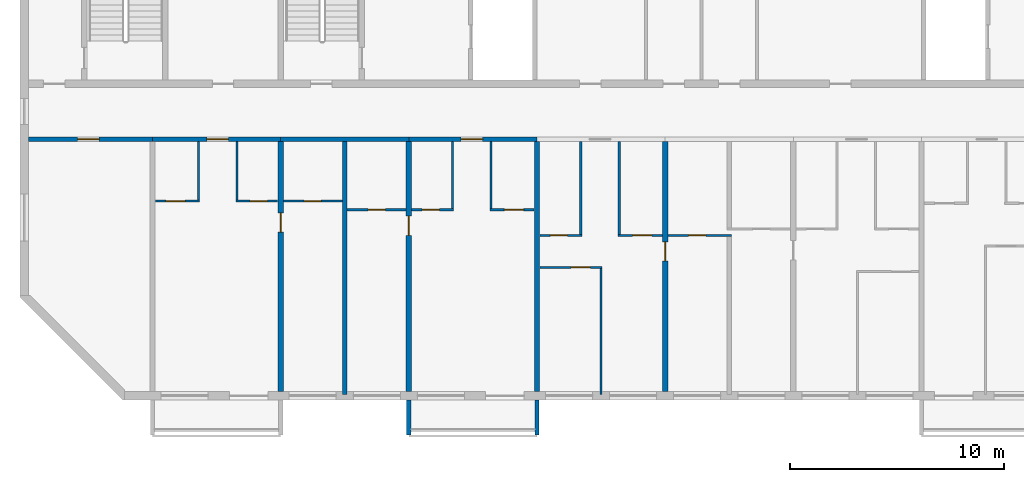
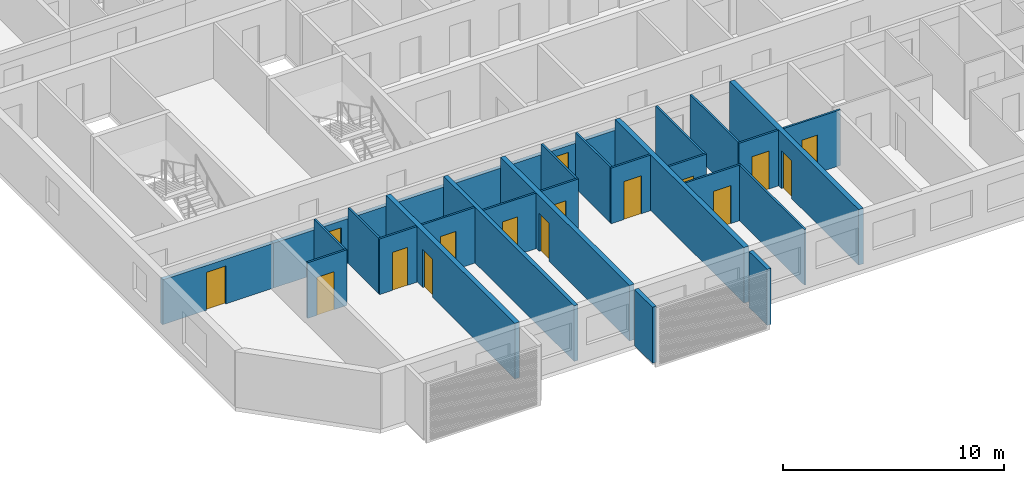
# One storey, part 2 of 26: 28 walls, 16 doors, 16 openings.
"""IFC4 building model written with IfcOpenShell, lengths in metres."""

from ifc_helpers import new_model, si_unit, direction, frame, frame_2d, origin, place, context, subcontext, project, spatial, polyline, rectangle, outline, extrude, source, transform, mapped, material, layer, layer_set, type_object, element, fill, save


model = new_model("IFC4")

# Units and contexts
model_context = context("Model", 3, precision=1e-05, world=origin(), true_north=direction((0.0, 1.0)))
body_context = subcontext(model_context, "Body", "Model", "MODEL_VIEW")
ifc_project = project(units=[si_unit("LENGTHUNIT", "METRE"), si_unit("AREAUNIT", "SQUARE_METRE"), si_unit("VOLUMEUNIT", "CUBIC_METRE"), si_unit("PLANEANGLEUNIT", "RADIAN"), si_unit("MASSUNIT", "GRAM", prefix="KILO")], contexts=[model_context])

# Site, building, storey
site_placement = place(None, origin())
site = spatial("IfcSite", under=ifc_project, at=site_placement, CompositionType="ELEMENT")
building_placement = place(site_placement, origin())
building = spatial("IfcBuilding", under=site, at=building_placement, Name="Poui Terraces", CompositionType="ELEMENT")
storey_placement = place(building_placement, frame((0.0, 0.0, 244.5)))
storey = spatial("IfcBuildingStorey", under=building, at=storey_placement, Name="L68", CompositionType="ELEMENT", Elevation=244.5)

# Wall, opening, door
ifc_material_1 = material(Name="Concrete 50 MPa", Category="concrete")
ifc_layer_1 = layer(ifc_material_1, 0.199951171875)
ifc_layer_set_1 = layer_set([ifc_layer_1], Name="Concrete 50 MPa")
wall_type_1 = type_object("IfcWallType", Name="CORRIDOR WALL 200 50MPa", PredefinedType="SHEAR", material=ifc_layer_set_1)
wall_1_placement = place(storey_placement, frame((18.199951171875, 12.0, 0.0), z_axis=(0.0, 0.0, 1.0), x_axis=(1.0, 0.0, 0.0)))
wall_1 = element("IfcWall", 1, at=wall_1_placement, inside=storey, type_object=wall_type_1, Name="CORRIDOR WALL LINE B BAY 1", PredefinedType="SHEAR", context=body_context, shape_type="SweptSolid", body=[
    extrude(rectangle(XDim=5.800048828125, YDim=0.199951171875, at=frame_2d((2.89990234375, 0.0))), origin(), (0.0, 0.0, 1.0), 2.47998046875),
])
opening_1_placement = place(wall_1_placement, frame((2.300048828125, 0.0, 0.0)))
opening_1 = element("IfcOpeningElement", 2, at=opening_1_placement, cuts=wall_1, Name="Opening D100", PredefinedType="OPENING", context=body_context, shape_type="SweptSolid", body=[
    extrude(rectangle(XDim=1.0, YDim=2.10009765625, at=frame_2d((0.5, 1.050048828125))), frame((0.0, 0.10986328125, 0.0), z_axis=(0.0, -1.0, 0.0), x_axis=(1.0, 0.0, 0.0)), (0.0, 0.0, 1.0), 0.219970703125),
])
ifc_material_2 = material(Name="Solid core timber door", Category="wood")
door_type_1 = type_object("IfcDoorType", Name="ACCESSIBLE INTERNAL DOOR 1000 X 2100", OperationType="NOTDEFINED", PredefinedType="DOOR", material=ifc_material_2)
door_1_placement = place(opening_1_placement, frame((1.0, 0.0, 0.0), z_axis=(0.0, 0.0, 1.0), x_axis=(-1.0, 0.0, 0.0)))
door_1 = element("IfcDoor", 3, at=door_1_placement, inside=storey, type_object=door_type_1, Name="ACCESSIBLE INTERNAL DOOR 061", OperationType="SINGLE_SWING_RIGHT", OverallHeight=2.10009765625, OverallWidth=1.0, PredefinedType="DOOR", context=body_context, shape_type="SweptSolid", body=[
    extrude(rectangle(XDim=1.0, YDim=2.10009765625, at=frame_2d((0.5, 1.050048828125))), frame((0.0, 0.02490234375, 0.0), z_axis=(0.0, -1.0, 0.0), x_axis=(1.0, 0.0, 0.0)), (0.0, 0.0, 1.0), 0.050048828125),
])
fill(opening_1, door_1)

wall_2_placement = place(storey_placement, frame((24.0, 12.0, 0.0), z_axis=(0.0, 0.0, 1.0), x_axis=(1.0, 0.0, 0.0)))
wall_2 = element("IfcWall", 4, at=wall_2_placement, inside=storey, type_object=wall_type_1, Name="CORRIDOR WALL LINE B BAY 2", PredefinedType="SHEAR", context=body_context, shape_type="SweptSolid", body=[
    extrude(rectangle(XDim=6.0, YDim=0.199951171875, at=frame_2d((3.0, 0.0))), origin(), (0.0, 0.0, 1.0), 2.47998046875),
])
opening_2_placement = place(wall_2_placement, frame((2.550048828125, 0.0, 0.0)))
opening_2 = element("IfcOpeningElement", 5, at=opening_2_placement, cuts=wall_2, Name="Opening FD30S", PredefinedType="OPENING", context=body_context, shape_type="SweptSolid", body=[
    extrude(rectangle(XDim=1.0, YDim=2.10009765625, at=frame_2d((0.5, 1.050048828125))), frame((0.0, 0.10986328125, 0.0), z_axis=(0.0, -1.0, 0.0), x_axis=(1.0, 0.0, 0.0)), (0.0, 0.0, 1.0), 0.219970703125),
])
ifc_material_3 = material(Name="Steel fire door", Category="steel")
door_type_2 = type_object("IfcDoorType", Name="FLAT ENTRANCE DOOR 1000 X 2100", OperationType="NOTDEFINED", PredefinedType="DOOR", material=ifc_material_3)
door_2_placement = place(opening_2_placement, frame((1.0, 0.0, 0.0), z_axis=(0.0, 0.0, 1.0), x_axis=(-1.0, 0.0, 0.0)))
door_2 = element("IfcDoor", 6, at=door_2_placement, inside=storey, type_object=door_type_2, Name="FLAT ENTRANCE DOOR 064", OperationType="SINGLE_SWING_LEFT", OverallHeight=2.10009765625, OverallWidth=1.0, PredefinedType="DOOR", context=body_context, shape_type="SweptSolid", body=[
    extrude(rectangle(XDim=1.0, YDim=2.10009765625, at=frame_2d((0.5, 1.050048828125))), frame((0.0, 0.02490234375, 0.0), z_axis=(0.0, -1.0, 0.0), x_axis=(1.0, 0.0, 0.0)), (0.0, 0.0, 1.0), 0.050048828125),
])
fill(opening_2, door_2)

# Wall
wall_3_placement = place(storey_placement, frame((30.0, 12.0, 0.0), z_axis=(0.0, 0.0, 1.0), x_axis=(1.0, 0.0, 0.0)))
element("IfcWall", 7, at=wall_3_placement, inside=storey, type_object=wall_type_1, Name="CORRIDOR WALL LINE B BAY 3", PredefinedType="SHEAR", context=body_context, shape_type="SweptSolid", body=[
    extrude(rectangle(XDim=6.0, YDim=0.199951171875, at=frame_2d((3.0, 0.0))), origin(), (0.0, 0.0, 1.0), 2.47998046875),
])

# Wall, opening, door
wall_4_placement = place(storey_placement, frame((36.0, 12.0, 0.0), z_axis=(0.0, 0.0, 1.0), x_axis=(1.0, 0.0, 0.0)))
wall_4 = element("IfcWall", 8, at=wall_4_placement, inside=storey, type_object=wall_type_1, Name="CORRIDOR WALL LINE B BAY 4", PredefinedType="SHEAR", context=body_context, shape_type="SweptSolid", body=[
    extrude(rectangle(XDim=6.0, YDim=0.199951171875, at=frame_2d((3.0, 0.0))), origin(), (0.0, 0.0, 1.0), 2.47998046875),
])
opening_3_placement = place(wall_4_placement, frame((2.449951171875, 0.0, 0.0)))
opening_3 = element("IfcOpeningElement", 9, at=opening_3_placement, cuts=wall_4, Name="Opening FD30S", PredefinedType="OPENING", context=body_context, shape_type="SweptSolid", body=[
    extrude(rectangle(XDim=1.0, YDim=2.10009765625, at=frame_2d((0.5, 1.050048828125))), frame((0.0, 0.10986328125, 0.0), z_axis=(0.0, -1.0, 0.0), x_axis=(1.0, 0.0, 0.0)), (0.0, 0.0, 1.0), 0.219970703125),
])
door_3_placement = place(opening_3_placement, frame((1.0, 0.0, 0.0), z_axis=(0.0, 0.0, 1.0), x_axis=(-1.0, 0.0, 0.0)))
door_3 = element("IfcDoor", 10, at=door_3_placement, inside=storey, type_object=door_type_2, Name="FLAT ENTRANCE DOOR 070", OperationType="SINGLE_SWING_RIGHT", OverallHeight=2.10009765625, OverallWidth=1.0, PredefinedType="DOOR", context=body_context, shape_type="SweptSolid", body=[
    extrude(rectangle(XDim=1.0, YDim=2.10009765625, at=frame_2d((0.5, 1.050048828125))), frame((0.0, 0.02490234375, 0.0), z_axis=(0.0, -1.0, 0.0), x_axis=(1.0, 0.0, 0.0)), (0.0, 0.0, 1.0), 0.050048828125),
])
fill(opening_3, door_3)

ifc_layer_2 = layer(ifc_material_1, 0.25)
ifc_layer_set_2 = layer_set([ifc_layer_2], Name="Concrete 50 MPa")
wall_type_2 = type_object("IfcWallType", Name="CROSS WALL 250 50MPa", PredefinedType="SHEAR", material=ifc_layer_set_2)
wall_5_placement = place(storey_placement, frame((30.0, 0.199951171875, 0.0), z_axis=(0.0, 0.0, 1.0), x_axis=(0.0, 1.0, 0.0)))
wall_5 = element("IfcWall", 11, at=wall_5_placement, inside=storey, type_object=wall_type_2, Name="CROSS WALL LINE 6 SOUTH", PredefinedType="SHEAR", context=body_context, shape_type="SweptSolid", body=[
    extrude(rectangle(XDim=11.699951171875, YDim=0.25, at=frame_2d((5.85009765625, 0.0))), origin(), (0.0, 0.0, 1.0), 3.080078125),
])
opening_4_placement = place(wall_5_placement, frame((7.449951171875, 0.0, 0.0)))
opening_4 = element("IfcOpeningElement", 12, at=opening_4_placement, cuts=wall_5, Name="Opening D90", PredefinedType="OPENING", context=body_context, shape_type="SweptSolid", body=[
    extrude(rectangle(XDim=0.89990234375, YDim=2.10009765625, at=frame_2d((0.449951171875, 1.050048828125))), frame((0.0, 0.135009765625, 0.0), z_axis=(0.0, -1.0, 0.0), x_axis=(1.0, 0.0, 0.0)), (0.0, 0.0, 1.0), 0.27001953125),
])
door_type_3 = type_object("IfcDoorType", Name="INTERNAL DOOR 900 X 2100", OperationType="NOTDEFINED", PredefinedType="DOOR", material=ifc_material_2)
door_4_placement = place(opening_4_placement, frame((0.89990234375, 0.0, 0.0), z_axis=(0.0, 0.0, 1.0), x_axis=(-1.0, 0.0, 0.0)))
door_4 = element("IfcDoor", 13, at=door_4_placement, inside=storey, type_object=door_type_3, Name="INTERNAL DOOR 066", OperationType="SINGLE_SWING_LEFT", OverallHeight=2.10009765625, OverallWidth=0.89990234375, PredefinedType="DOOR", context=body_context, shape_type="SweptSolid", body=[
    extrude(rectangle(XDim=0.89990234375, YDim=2.10009765625, at=frame_2d((0.449951171875, 1.050048828125))), frame((0.0, 0.02490234375, 0.0), z_axis=(0.0, -1.0, 0.0), x_axis=(1.0, 0.0, 0.0)), (0.0, 0.0, 1.0), 0.050048828125),
])
fill(opening_4, door_4)

wall_6_placement = place(storey_placement, frame((36.0, 0.199951171875, 0.0), z_axis=(0.0, 0.0, 1.0), x_axis=(0.0, 1.0, 0.0)))
wall_6 = element("IfcWall", 14, at=wall_6_placement, inside=storey, type_object=wall_type_2, Name="CROSS WALL LINE 7 SOUTH", PredefinedType="SHEAR", context=body_context, shape_type="SweptSolid", body=[
    extrude(rectangle(XDim=11.699951171875, YDim=0.25, at=frame_2d((5.85009765625, 0.0))), origin(), (0.0, 0.0, 1.0), 3.080078125),
])
opening_5_placement = place(wall_6_placement, frame((7.300048828125, 0.0, 0.0)))
opening_5 = element("IfcOpeningElement", 15, at=opening_5_placement, cuts=wall_6, Name="Opening D90", PredefinedType="OPENING", context=body_context, shape_type="SweptSolid", body=[
    extrude(rectangle(XDim=0.89990234375, YDim=2.10009765625, at=frame_2d((0.449951171875, 1.050048828125))), frame((0.0, 0.135009765625, 0.0), z_axis=(0.0, -1.0, 0.0), x_axis=(1.0, 0.0, 0.0)), (0.0, 0.0, 1.0), 0.27001953125),
])
door_5_placement = place(opening_5_placement, origin())
door_5 = element("IfcDoor", 16, at=door_5_placement, inside=storey, type_object=door_type_3, Name="INTERNAL DOOR 068", OperationType="SINGLE_SWING_RIGHT", OverallHeight=2.10009765625, OverallWidth=0.89990234375, PredefinedType="DOOR", context=body_context, shape_type="SweptSolid", body=[
    extrude(rectangle(XDim=0.89990234375, YDim=2.10009765625, at=frame_2d((0.449951171875, 1.050048828125))), frame((0.0, 0.02490234375, 0.0), z_axis=(0.0, -1.0, 0.0), x_axis=(1.0, 0.0, 0.0)), (0.0, 0.0, 1.0), 0.050048828125),
])
fill(opening_5, door_5)

# Wall
wall_7_placement = place(storey_placement, frame((42.0, 0.199951171875, 0.0), z_axis=(0.0, 0.0, 1.0), x_axis=(0.0, 1.0, 0.0)))
element("IfcWall", 17, at=wall_7_placement, inside=storey, type_object=wall_type_2, Name="CROSS WALL LINE 8 SOUTH", PredefinedType="SHEAR", context=body_context, shape_type="SweptSolid", body=[
    extrude(rectangle(XDim=11.699951171875, YDim=0.25, at=frame_2d((5.85009765625, 0.0))), origin(), (0.0, 0.0, 1.0), 3.080078125),
])

# Wall, opening, door
wall_8_placement = place(storey_placement, frame((48.0, 0.199951171875, 0.0), z_axis=(0.0, 0.0, 1.0), x_axis=(0.0, 1.0, 0.0)))
wall_8 = element("IfcWall", 18, at=wall_8_placement, inside=storey, type_object=wall_type_2, Name="CROSS WALL LINE 9 SOUTH", PredefinedType="SHEAR", context=body_context, shape_type="SweptSolid", body=[
    extrude(rectangle(XDim=11.699951171875, YDim=0.25, at=frame_2d((5.85009765625, 0.0))), origin(), (0.0, 0.0, 1.0), 3.080078125),
])
opening_6_placement = place(wall_8_placement, frame((6.10009765625, 0.0, 0.0)))
opening_6 = element("IfcOpeningElement", 19, at=opening_6_placement, cuts=wall_8, Name="Opening D90", PredefinedType="OPENING", context=body_context, shape_type="SweptSolid", body=[
    extrude(rectangle(XDim=0.89990234375, YDim=2.10009765625, at=frame_2d((0.449951171875, 1.050048828125))), frame((0.0, 0.135009765625, 0.0), z_axis=(0.0, -1.0, 0.0), x_axis=(1.0, 0.0, 0.0)), (0.0, 0.0, 1.0), 0.27001953125),
])
door_6_placement = place(opening_6_placement, frame((0.89990234375, 0.0, 0.0), z_axis=(0.0, 0.0, 1.0), x_axis=(-1.0, 0.0, 0.0)))
door_6 = element("IfcDoor", 20, at=door_6_placement, inside=storey, type_object=door_type_3, Name="INTERNAL DOOR 077", OperationType="SINGLE_SWING_LEFT", OverallHeight=2.10009765625, OverallWidth=0.89990234375, PredefinedType="DOOR", context=body_context, shape_type="SweptSolid", body=[
    extrude(rectangle(XDim=0.89990234375, YDim=2.10009765625, at=frame_2d((0.449951171875, 1.050048828125))), frame((0.0, 0.02490234375, 0.0), z_axis=(0.0, -1.0, 0.0), x_axis=(1.0, 0.0, 0.0)), (0.0, 0.0, 1.0), 0.050048828125),
])
fill(opening_6, door_6)

ifc_material_4 = material(Name="Plasterboard partition")
ifc_layer_3 = layer(ifc_material_4, 0.10009765625)
ifc_layer_set_3 = layer_set([ifc_layer_3], Name="Plasterboard partition")
wall_type_3 = type_object("IfcWallType", Name="FLAT PARTITION 100", PredefinedType="PARTITIONING", material=ifc_layer_set_3)
wall_9_placement = place(storey_placement, frame((42.135009765625, 6.0, 0.0), z_axis=(0.0, 0.0, 1.0), x_axis=(1.0, 0.0, 0.0)))
wall_9 = element("IfcWall", 21, at=wall_9_placement, inside=storey, type_object=wall_type_3, Name="FLAT PARTITION 100", PredefinedType="PARTITIONING", context=body_context, shape_type="SweptSolid", body=[
    extrude(rectangle(XDim=2.9150390625, YDim=0.10009765625, at=frame_2d((1.45751953125, 0.0))), origin(), (0.0, 0.0, 1.0), 3.080078125),
])
opening_7_placement = place(wall_9_placement, frame((1.465087890625, 0.0, 0.0)))
opening_7 = element("IfcOpeningElement", 22, at=opening_7_placement, cuts=wall_9, Name="Opening D90", PredefinedType="OPENING", context=body_context, shape_type="SweptSolid", body=[
    extrude(rectangle(XDim=0.89990234375, YDim=2.10009765625, at=frame_2d((0.449951171875, 1.050048828125))), frame((0.0, 0.06005859375, 0.0), z_axis=(0.0, -1.0, 0.0), x_axis=(1.0, 0.0, 0.0)), (0.0, 0.0, 1.0), 0.1201171875),
])
door_7_placement = place(opening_7_placement, origin())
door_7 = element("IfcDoor", 23, at=door_7_placement, inside=storey, type_object=door_type_3, Name="INTERNAL DOOR 074", OperationType="SINGLE_SWING_LEFT", OverallHeight=2.10009765625, OverallWidth=0.89990234375, PredefinedType="DOOR", context=body_context, shape_type="SweptSolid", body=[
    extrude(rectangle(XDim=0.89990234375, YDim=2.10009765625, at=frame_2d((0.449951171875, 1.050048828125))), frame((0.0, 0.02490234375, 0.0), z_axis=(0.0, -1.0, 0.0), x_axis=(1.0, 0.0, 0.0)), (0.0, 0.0, 1.0), 0.050048828125),
])
fill(opening_7, door_7)

wall_10_placement = place(storey_placement, frame((42.135009765625, 7.5, 0.0), z_axis=(0.0, 0.0, 1.0), x_axis=(1.0, 0.0, 0.0)))
wall_10 = element("IfcWall", 24, at=wall_10_placement, inside=storey, type_object=wall_type_3, Name="FLAT PARTITION 100", PredefinedType="PARTITIONING", context=body_context, shape_type="SweptSolid", body=[
    extrude(rectangle(XDim=1.965087890625, YDim=0.10009765625, at=frame_2d((0.982421875, 0.0))), origin(), (0.0, 0.0, 1.0), 3.080078125),
])
opening_8_placement = place(wall_10_placement, frame((0.489990234375, 0.0, 0.0)))
opening_8 = element("IfcOpeningElement", 25, at=opening_8_placement, cuts=wall_10, Name="Opening D80", PredefinedType="OPENING", context=body_context, shape_type="SweptSolid", body=[
    extrude(rectangle(XDim=0.800048828125, YDim=2.10009765625, at=frame_2d((0.39990234375, 1.050048828125))), frame((0.0, 0.06005859375, 0.0), z_axis=(0.0, -1.0, 0.0), x_axis=(1.0, 0.0, 0.0)), (0.0, 0.0, 1.0), 0.1201171875),
])
door_type_4 = type_object("IfcDoorType", Name="BATHROOM, LAUNDRY AND STORE DOOR 800 X 2100", OperationType="NOTDEFINED", PredefinedType="DOOR", material=ifc_material_2)
door_8_placement = place(opening_8_placement, origin())
door_8 = element("IfcDoor", 26, at=door_8_placement, inside=storey, type_object=door_type_4, Name="BATHROOM, LAUNDRY AND STORE DOOR 073", OperationType="SINGLE_SWING_RIGHT", OverallHeight=2.10009765625, OverallWidth=0.800048828125, PredefinedType="DOOR", context=body_context, shape_type="SweptSolid", body=[
    extrude(rectangle(XDim=0.800048828125, YDim=2.10009765625, at=frame_2d((0.39990234375, 1.050048828125))), frame((0.0, 0.02490234375, 0.0), z_axis=(0.0, -1.0, 0.0), x_axis=(1.0, 0.0, 0.0)), (0.0, 0.0, 1.0), 0.050048828125),
])
fill(opening_8, door_8)

wall_11_placement = place(storey_placement, frame((45.800048828125, 7.5, 0.0), z_axis=(0.0, 0.0, 1.0), x_axis=(1.0, 0.0, 0.0)))
wall_11 = element("IfcWall", 27, at=wall_11_placement, inside=storey, type_object=wall_type_3, Name="FLAT PARTITION 100", PredefinedType="PARTITIONING", context=body_context, shape_type="SweptSolid", body=[
    extrude(rectangle(XDim=2.06494140625, YDim=0.10009765625, at=frame_2d((1.032470703125, 0.0))), origin(), (0.0, 0.0, 1.0), 3.080078125),
])
opening_9_placement = place(wall_11_placement, frame((0.675048828125, 0.0, 0.0)))
opening_9 = element("IfcOpeningElement", 28, at=opening_9_placement, cuts=wall_11, Name="Opening D90", PredefinedType="OPENING", context=body_context, shape_type="SweptSolid", body=[
    extrude(rectangle(XDim=0.89990234375, YDim=2.10009765625, at=frame_2d((0.449951171875, 1.050048828125))), frame((0.0, 0.06005859375, 0.0), z_axis=(0.0, -1.0, 0.0), x_axis=(1.0, 0.0, 0.0)), (0.0, 0.0, 1.0), 0.1201171875),
])
door_9_placement = place(opening_9_placement, origin())
door_9 = element("IfcDoor", 29, at=door_9_placement, inside=storey, type_object=door_type_3, Name="INTERNAL DOOR 076", OperationType="SINGLE_SWING_LEFT", OverallHeight=2.10009765625, OverallWidth=0.89990234375, PredefinedType="DOOR", context=body_context, shape_type="SweptSolid", body=[
    extrude(rectangle(XDim=0.89990234375, YDim=2.10009765625, at=frame_2d((0.449951171875, 1.050048828125))), frame((0.0, 0.02490234375, 0.0), z_axis=(0.0, -1.0, 0.0), x_axis=(1.0, 0.0, 0.0)), (0.0, 0.0, 1.0), 0.050048828125),
])
fill(opening_9, door_9)

wall_12_placement = place(storey_placement, frame((48.135009765625, 7.5, 0.0), z_axis=(0.0, 0.0, 1.0), x_axis=(1.0, 0.0, 0.0)))
wall_12 = element("IfcWall", 30, at=wall_12_placement, inside=storey, type_object=wall_type_3, Name="FLAT PARTITION 100", PredefinedType="PARTITIONING", context=body_context, shape_type="SweptSolid", body=[
    extrude(rectangle(XDim=2.965087890625, YDim=0.10009765625, at=frame_2d((1.482421875, 0.0))), origin(), (0.0, 0.0, 1.0), 3.080078125),
])
opening_10_placement = place(wall_12_placement, frame((0.965087890625, 0.0, 0.0)))
opening_10 = element("IfcOpeningElement", 31, at=opening_10_placement, cuts=wall_12, Name="Opening D80", PredefinedType="OPENING", context=body_context, shape_type="SweptSolid", body=[
    extrude(rectangle(XDim=0.800048828125, YDim=2.10009765625, at=frame_2d((0.39990234375, 1.050048828125))), frame((0.0, 0.06005859375, 0.0), z_axis=(0.0, -1.0, 0.0), x_axis=(1.0, 0.0, 0.0)), (0.0, 0.0, 1.0), 0.1201171875),
])
door_10_placement = place(opening_10_placement, origin())
door_10 = element("IfcDoor", 32, at=door_10_placement, inside=storey, type_object=door_type_4, Name="BATHROOM, LAUNDRY AND STORE DOOR 072", OperationType="SINGLE_SWING_RIGHT", OverallHeight=2.10009765625, OverallWidth=0.800048828125, PredefinedType="DOOR", context=body_context, shape_type="SweptSolid", body=[
    extrude(rectangle(XDim=0.800048828125, YDim=2.10009765625, at=frame_2d((0.39990234375, 1.050048828125))), frame((0.0, 0.02490234375, 0.0), z_axis=(0.0, -1.0, 0.0), x_axis=(1.0, 0.0, 0.0)), (0.0, 0.0, 1.0), 0.050048828125),
])
fill(opening_10, door_10)

wall_13_placement = place(storey_placement, frame((33.10009765625, 8.699951171875, 0.0), z_axis=(0.0, 0.0, 1.0), x_axis=(1.0, 0.0, 0.0)))
wall_13 = element("IfcWall", 33, at=wall_13_placement, inside=storey, type_object=wall_type_3, Name="FLAT PARTITION 100", PredefinedType="PARTITIONING", context=body_context, shape_type="SweptSolid", body=[
    extrude(rectangle(XDim=2.764892578125, YDim=0.10009765625, at=frame_2d((1.38232421875, 0.0))), origin(), (0.0, 0.0, 1.0), 3.080078125),
])
opening_11_placement = place(wall_13_placement, frame((1.0, 0.0, 0.0)))
opening_11 = element("IfcOpeningElement", 34, at=opening_11_placement, cuts=wall_13, Name="Opening D80", PredefinedType="OPENING", context=body_context, shape_type="SweptSolid", body=[
    extrude(rectangle(XDim=0.800048828125, YDim=2.10009765625, at=frame_2d((0.39990234375, 1.050048828125))), frame((0.0, 0.06005859375, 0.0), z_axis=(0.0, -1.0, 0.0), x_axis=(1.0, 0.0, 0.0)), (0.0, 0.0, 1.0), 0.1201171875),
])
door_11_placement = place(opening_11_placement, origin())
door_11 = element("IfcDoor", 35, at=door_11_placement, inside=storey, type_object=door_type_4, Name="BATHROOM, LAUNDRY AND STORE DOOR 067", OperationType="SINGLE_SWING_LEFT", OverallHeight=2.10009765625, OverallWidth=0.800048828125, PredefinedType="DOOR", context=body_context, shape_type="SweptSolid", body=[
    extrude(rectangle(XDim=0.800048828125, YDim=2.10009765625, at=frame_2d((0.39990234375, 1.050048828125))), frame((0.0, 0.02490234375, 0.0), z_axis=(0.0, -1.0, 0.0), x_axis=(1.0, 0.0, 0.0)), (0.0, 0.0, 1.0), 0.050048828125),
])
fill(opening_11, door_11)

wall_14_placement = place(storey_placement, frame((36.135009765625, 8.699951171875, 0.0), z_axis=(0.0, 0.0, 1.0), x_axis=(1.0, 0.0, 0.0)))
wall_14 = element("IfcWall", 36, at=wall_14_placement, inside=storey, type_object=wall_type_3, Name="FLAT PARTITION 100", PredefinedType="PARTITIONING", context=body_context, shape_type="SweptSolid", body=[
    extrude(rectangle(XDim=1.965087890625, YDim=0.10009765625, at=frame_2d((0.982421875, 0.0))), origin(), (0.0, 0.0, 1.0), 3.080078125),
])
opening_12_placement = place(wall_14_placement, frame((0.489990234375, 0.0, 0.0)))
opening_12 = element("IfcOpeningElement", 37, at=opening_12_placement, cuts=wall_14, Name="Opening D80", PredefinedType="OPENING", context=body_context, shape_type="SweptSolid", body=[
    extrude(rectangle(XDim=0.800048828125, YDim=2.10009765625, at=frame_2d((0.39990234375, 1.050048828125))), frame((0.0, 0.06005859375, 0.0), z_axis=(0.0, -1.0, 0.0), x_axis=(1.0, 0.0, 0.0)), (0.0, 0.0, 1.0), 0.1201171875),
])
door_12_placement = place(opening_12_placement, origin())
door_12 = element("IfcDoor", 38, at=door_12_placement, inside=storey, type_object=door_type_4, Name="BATHROOM, LAUNDRY AND STORE DOOR 069", OperationType="SINGLE_SWING_RIGHT", OverallHeight=2.10009765625, OverallWidth=0.800048828125, PredefinedType="DOOR", context=body_context, shape_type="SweptSolid", body=[
    extrude(rectangle(XDim=0.800048828125, YDim=2.10009765625, at=frame_2d((0.39990234375, 1.050048828125))), frame((0.0, 0.02490234375, 0.0), z_axis=(0.0, -1.0, 0.0), x_axis=(1.0, 0.0, 0.0)), (0.0, 0.0, 1.0), 0.050048828125),
])
fill(opening_12, door_12)

wall_15_placement = place(storey_placement, frame((39.800048828125, 8.699951171875, 0.0), z_axis=(0.0, 0.0, 1.0), x_axis=(1.0, 0.0, 0.0)))
wall_15 = element("IfcWall", 39, at=wall_15_placement, inside=storey, type_object=wall_type_3, Name="FLAT PARTITION 100", PredefinedType="PARTITIONING", context=body_context, shape_type="SweptSolid", body=[
    extrude(rectangle(XDim=2.06494140625, YDim=0.10009765625, at=frame_2d((1.032470703125, 0.0))), origin(), (0.0, 0.0, 1.0), 3.080078125),
])
opening_13_placement = place(wall_15_placement, frame((0.675048828125, 0.0, 0.0)))
opening_13 = element("IfcOpeningElement", 40, at=opening_13_placement, cuts=wall_15, Name="Opening D90", PredefinedType="OPENING", context=body_context, shape_type="SweptSolid", body=[
    extrude(rectangle(XDim=0.89990234375, YDim=2.10009765625, at=frame_2d((0.449951171875, 1.050048828125))), frame((0.0, 0.06005859375, 0.0), z_axis=(0.0, -1.0, 0.0), x_axis=(1.0, 0.0, 0.0)), (0.0, 0.0, 1.0), 0.1201171875),
])
door_13_placement = place(opening_13_placement, origin())
door_13 = element("IfcDoor", 41, at=door_13_placement, inside=storey, type_object=door_type_3, Name="INTERNAL DOOR 071", OperationType="SINGLE_SWING_LEFT", OverallHeight=2.10009765625, OverallWidth=0.89990234375, PredefinedType="DOOR", context=body_context, shape_type="SweptSolid", body=[
    extrude(rectangle(XDim=0.89990234375, YDim=2.10009765625, at=frame_2d((0.449951171875, 1.050048828125))), frame((0.0, 0.02490234375, 0.0), z_axis=(0.0, -1.0, 0.0), x_axis=(1.0, 0.0, 0.0)), (0.0, 0.0, 1.0), 0.050048828125),
])
fill(opening_13, door_13)

wall_16_placement = place(storey_placement, frame((24.135009765625, 9.10009765625, 0.0), z_axis=(0.0, 0.0, 1.0), x_axis=(1.0, 0.0, 0.0)))
wall_16 = element("IfcWall", 42, at=wall_16_placement, inside=storey, type_object=wall_type_3, Name="FLAT PARTITION 100", PredefinedType="PARTITIONING", context=body_context, shape_type="SweptSolid", body=[
    extrude(rectangle(XDim=2.06494140625, YDim=0.10009765625, at=frame_2d((1.032470703125, 0.0))), origin(), (0.0, 0.0, 1.0), 3.080078125),
])
opening_14_placement = place(wall_16_placement, frame((0.489990234375, 0.0, 0.0)))
opening_14 = element("IfcOpeningElement", 43, at=opening_14_placement, cuts=wall_16, Name="Opening D90", PredefinedType="OPENING", context=body_context, shape_type="SweptSolid", body=[
    extrude(rectangle(XDim=0.89990234375, YDim=2.10009765625, at=frame_2d((0.449951171875, 1.050048828125))), frame((0.0, 0.06005859375, 0.0), z_axis=(0.0, -1.0, 0.0), x_axis=(1.0, 0.0, 0.0)), (0.0, 0.0, 1.0), 0.1201171875),
])
door_14_placement = place(opening_14_placement, origin())
door_14 = element("IfcDoor", 44, at=door_14_placement, inside=storey, type_object=door_type_3, Name="INTERNAL DOOR 063", OperationType="SINGLE_SWING_LEFT", OverallHeight=2.10009765625, OverallWidth=0.89990234375, PredefinedType="DOOR", context=body_context, shape_type="SweptSolid", body=[
    extrude(rectangle(XDim=0.89990234375, YDim=2.10009765625, at=frame_2d((0.449951171875, 1.050048828125))), frame((0.0, 0.02490234375, 0.0), z_axis=(0.0, -1.0, 0.0), x_axis=(1.0, 0.0, 0.0)), (0.0, 0.0, 1.0), 0.050048828125),
])
fill(opening_14, door_14)

wall_17_placement = place(storey_placement, frame((27.89990234375, 9.10009765625, 0.0), z_axis=(0.0, 0.0, 1.0), x_axis=(1.0, 0.0, 0.0)))
wall_17 = element("IfcWall", 45, at=wall_17_placement, inside=storey, type_object=wall_type_3, Name="FLAT PARTITION 100", PredefinedType="PARTITIONING", context=body_context, shape_type="SweptSolid", body=[
    extrude(rectangle(XDim=1.965087890625, YDim=0.10009765625, at=frame_2d((0.982421875, 0.0))), origin(), (0.0, 0.0, 1.0), 3.080078125),
])
opening_15_placement = place(wall_17_placement, frame((0.675048828125, 0.0, 0.0)))
opening_15 = element("IfcOpeningElement", 46, at=opening_15_placement, cuts=wall_17, Name="Opening D80", PredefinedType="OPENING", context=body_context, shape_type="SweptSolid", body=[
    extrude(rectangle(XDim=0.800048828125, YDim=2.10009765625, at=frame_2d((0.39990234375, 1.050048828125))), frame((0.0, 0.06005859375, 0.0), z_axis=(0.0, -1.0, 0.0), x_axis=(1.0, 0.0, 0.0)), (0.0, 0.0, 1.0), 0.1201171875),
])
door_15_placement = place(opening_15_placement, origin())
door_15 = element("IfcDoor", 47, at=door_15_placement, inside=storey, type_object=door_type_4, Name="BATHROOM, LAUNDRY AND STORE DOOR 065", OperationType="SINGLE_SWING_RIGHT", OverallHeight=2.10009765625, OverallWidth=0.800048828125, PredefinedType="DOOR", context=body_context, shape_type="SweptSolid", body=[
    extrude(rectangle(XDim=0.800048828125, YDim=2.10009765625, at=frame_2d((0.39990234375, 1.050048828125))), frame((0.0, 0.02490234375, 0.0), z_axis=(0.0, -1.0, 0.0), x_axis=(1.0, 0.0, 0.0)), (0.0, 0.0, 1.0), 0.050048828125),
])
fill(opening_15, door_15)

wall_18_placement = place(storey_placement, frame((30.135009765625, 9.10009765625, 0.0), z_axis=(0.0, 0.0, 1.0), x_axis=(1.0, 0.0, 0.0)))
wall_18 = element("IfcWall", 48, at=wall_18_placement, inside=storey, type_object=wall_type_3, Name="FLAT PARTITION 100", PredefinedType="PARTITIONING", context=body_context, shape_type="SweptSolid", body=[
    extrude(rectangle(XDim=2.764892578125, YDim=0.10009765625, at=frame_2d((1.38232421875, 0.0))), origin(), (0.0, 0.0, 1.0), 3.080078125),
])
opening_16_placement = place(wall_18_placement, frame((0.965087890625, 0.0, 0.0)))
opening_16 = element("IfcOpeningElement", 49, at=opening_16_placement, cuts=wall_18, Name="Opening D80", PredefinedType="OPENING", context=body_context, shape_type="SweptSolid", body=[
    extrude(rectangle(XDim=0.800048828125, YDim=2.10009765625, at=frame_2d((0.39990234375, 1.050048828125))), frame((0.0, 0.06005859375, 0.0), z_axis=(0.0, -1.0, 0.0), x_axis=(1.0, 0.0, 0.0)), (0.0, 0.0, 1.0), 0.1201171875),
])
door_16_placement = place(opening_16_placement, origin())
door_16 = element("IfcDoor", 50, at=door_16_placement, inside=storey, type_object=door_type_4, Name="BATHROOM, LAUNDRY AND STORE DOOR 062", OperationType="SINGLE_SWING_RIGHT", OverallHeight=2.10009765625, OverallWidth=0.800048828125, PredefinedType="DOOR", context=body_context, shape_type="SweptSolid", body=[
    extrude(rectangle(XDim=0.800048828125, YDim=2.10009765625, at=frame_2d((0.39990234375, 1.050048828125))), frame((0.0, 0.02490234375, 0.0), z_axis=(0.0, -1.0, 0.0), x_axis=(1.0, 0.0, 0.0)), (0.0, 0.0, 1.0), 0.050048828125),
])
fill(opening_16, door_16)

# Walls
for number, where, z_axis, x_axis, name in (
    (51, (26.14990234375, 9.14990234375, 0.0), (0.0, 0.0, 1.0), (0.0, 1.0, 0.0), "FLAT PARTITION 100"),
    (52, (27.949951171875, 9.14990234375, 0.0), (0.0, 0.0, 1.0), (0.0, 1.0, 0.0), "FLAT PARTITION 100"),
):
    element("IfcWall", number, at=place(storey_placement, frame(where, z_axis=z_axis, x_axis=x_axis)), inside=storey, type_object=wall_type_3, Name=name, PredefinedType="PARTITIONING", context=body_context, shape_type="SweptSolid", body=[
        extrude(rectangle(XDim=2.739990234375, YDim=0.10009765625, at=frame_2d((1.3701171875, 0.0))), origin(), (0.0, 0.0, 1.0), 3.080078125),
    ])
for number, where, z_axis, x_axis, name in (
    (53, (38.050048828125, 8.75, 0.0), (0.0, 0.0, 1.0), (0.0, 1.0, 0.0), "FLAT PARTITION 100"),
    (54, (39.85009765625, 8.75, 0.0), (0.0, 0.0, 1.0), (0.0, 1.0, 0.0), "FLAT PARTITION 100"),
):
    element("IfcWall", number, at=place(storey_placement, frame(where, z_axis=z_axis, x_axis=x_axis)), inside=storey, type_object=wall_type_3, Name=name, PredefinedType="PARTITIONING", context=body_context, shape_type="SweptSolid", body=[
        extrude(rectangle(XDim=3.139892578125, YDim=0.10009765625, at=frame_2d((1.56982421875, 0.0))), origin(), (0.0, 0.0, 1.0), 3.080078125),
    ])
wall_19_placement = place(storey_placement, frame((44.050048828125, 7.550048828125, 0.0), z_axis=(0.0, 0.0, 1.0), x_axis=(0.0, 1.0, 0.0)))
element("IfcWall", 55, at=wall_19_placement, inside=storey, type_object=wall_type_3, Name="FLAT PARTITION 100", PredefinedType="PARTITIONING", context=body_context, shape_type="SweptSolid", body=[
    extrude(rectangle(XDim=4.33984375, YDim=0.10009765625, at=frame_2d((2.169921875, 0.0))), origin(), (0.0, 0.0, 1.0), 3.080078125),
])
wall_20_placement = place(storey_placement, frame((45.0, 0.06005859375, 0.0), z_axis=(0.0, 0.0, 1.0), x_axis=(0.0, 1.0, 0.0)))
element("IfcWall", 56, at=wall_20_placement, inside=storey, type_object=wall_type_3, Name="FLAT PARTITION 100", PredefinedType="PARTITIONING", context=body_context, shape_type="SweptSolid", body=[
    extrude(rectangle(XDim=5.889892578125, YDim=0.10009765625, at=frame_2d((2.94482421875, 0.0))), origin(), (0.0, 0.0, 1.0), 3.080078125),
])
wall_21_placement = place(storey_placement, frame((45.85009765625, 7.550048828125, 0.0), z_axis=(0.0, 0.0, 1.0), x_axis=(0.0, 1.0, 0.0)))
element("IfcWall", 57, at=wall_21_placement, inside=storey, type_object=wall_type_3, Name="FLAT PARTITION 100", PredefinedType="PARTITIONING", context=body_context, shape_type="SweptSolid", body=[
    extrude(rectangle(XDim=4.33984375, YDim=0.10009765625, at=frame_2d((2.169921875, 0.0))), origin(), (0.0, 0.0, 1.0), 3.080078125),
])
ifc_material_5 = material(Name="Fire-rated masonry wall", Category="masonry")
ifc_layer_4 = layer(ifc_material_5, 0.199951171875)
ifc_layer_set_4 = layer_set([ifc_layer_4], Name="Fire-rated masonry wall")
wall_type_4 = type_object("IfcWallType", Name="FLAT PARTY WALL 200", PredefinedType="PARTITIONING", material=ifc_layer_set_4)
wall_22_placement = place(storey_placement, frame((33.0, 0.06005859375, 0.0), z_axis=(0.0, 0.0, 1.0), x_axis=(0.0, 1.0, 0.0)))
element("IfcWall", 58, at=wall_22_placement, inside=storey, type_object=wall_type_4, Name="FLAT PARTY WALL 200", PredefinedType="PARTITIONING", context=body_context, shape_type="SweptSolid", body=[
    extrude(rectangle(XDim=11.829833984375, YDim=0.199951171875, at=frame_2d((5.9150390625, 0.0))), origin(), (0.0, 0.0, 1.0), 3.080078125),
])
ifc_material_6 = material(Name="Precast concrete 40 MPa", Category="concrete")
ifc_layer_5 = layer(ifc_material_6, 0.199951171875)
ifc_layer_set_5 = layer_set([ifc_layer_5], Name="Precast concrete 40 MPa")
wall_type_5 = type_object("IfcWallType", Name="REAR FIN 200", PredefinedType="STANDARD", material=ifc_layer_set_5)
shared_shape = source(origin(), body_context, "Body", "SweptSolid", [
    extrude(outline(polyline([(0.0, 0.0), (0.2001953125, 0.0), (0.2001953125, 1.650146484375), (0.0, 1.650146484375), (0.0, 0.0)])), origin(), (0.0, 0.0, 1.0), 3.10009765625),
])
for number, where, name in (
    (59, (35.89990234375, -1.85009765625, 0.0), "REAR FIN"),
    (60, (41.89990234375, -1.85009765625, 0.0), "REAR FIN"),
):
    element("IfcWall", number, at=place(storey_placement, frame(where)), inside=storey, type_object=wall_type_5, Name=name, PredefinedType="STANDARD", context=body_context, shape_type="MappedRepresentation", body=[
        mapped(shared_shape, transform((0.0, 0.0, 0.0))),
    ])

save(model, "model.ifc")
